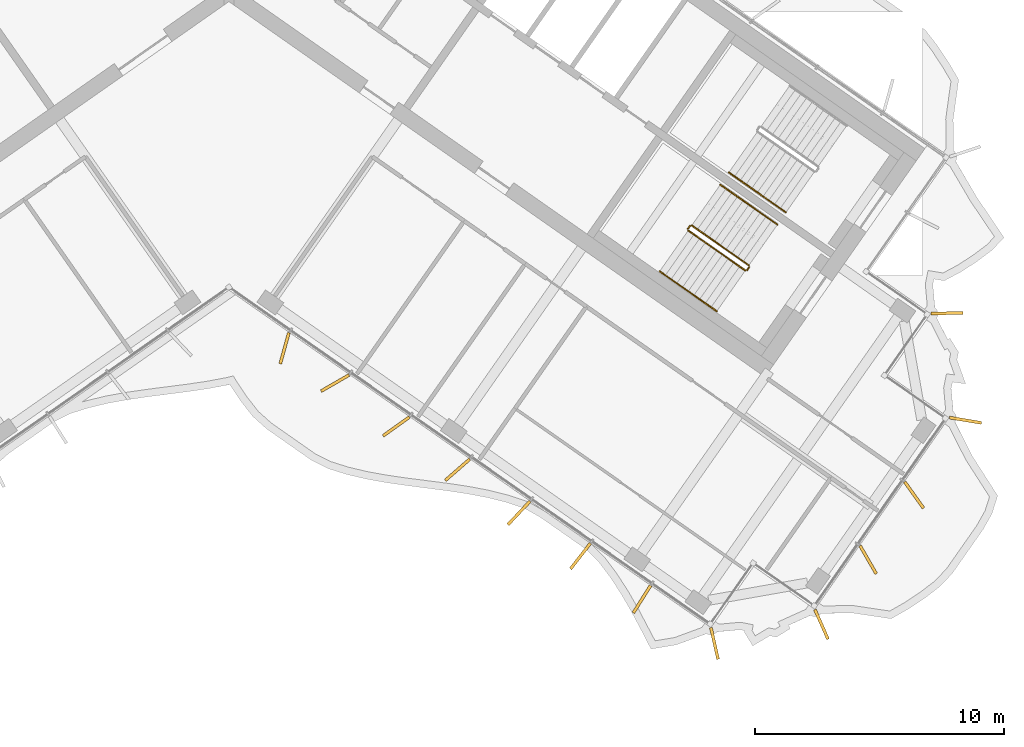
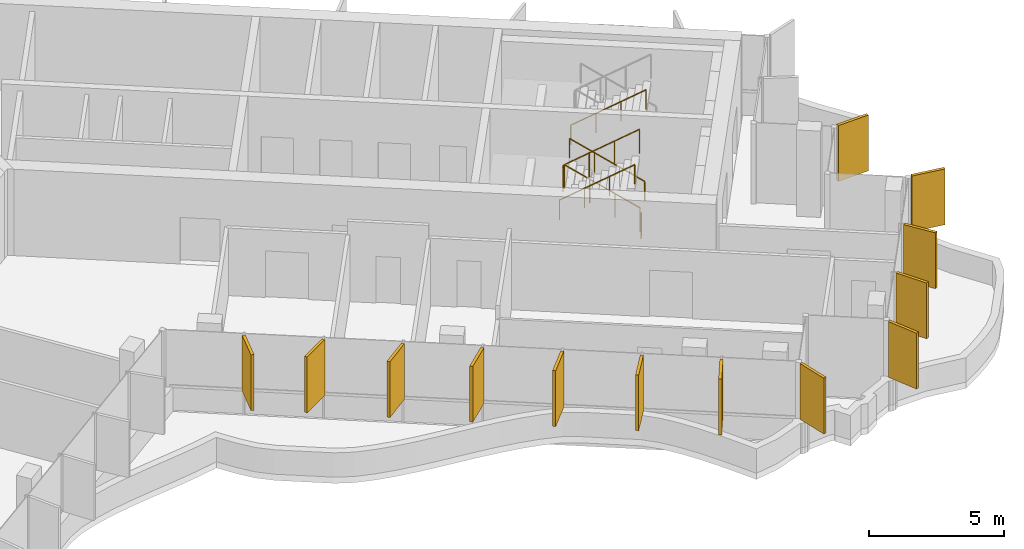
# One storey, part 15 of 17: 13 shading devices, 7 railings.
"""IFC4 building model written with IfcOpenShell, lengths in metres."""

from ifc_helpers import new_model, si_unit, direction, frame, origin, origin_2d, place, context, subcontext, project, spatial, rectangle, circle, extrude, material, layer, layer_set, type_object, element, save


model = new_model("IFC4")

# Units and contexts
model_context = context("Model", 3, precision=1e-05, world=origin(), true_north=direction((0.0, 1.0)))
body_context = subcontext(model_context, "Body", "Model", "MODEL_VIEW")
ifc_project = project(units=[si_unit("LENGTHUNIT", "METRE"), si_unit("AREAUNIT", "SQUARE_METRE"), si_unit("VOLUMEUNIT", "CUBIC_METRE"), si_unit("PLANEANGLEUNIT", "RADIAN"), si_unit("MASSUNIT", "GRAM", prefix="KILO")], contexts=[model_context])

# Site, building, storey
site_placement = place(None, origin())
site = spatial("IfcSite", under=ifc_project, at=site_placement, CompositionType="ELEMENT")
building_placement = place(site_placement, origin())
building = spatial("IfcBuilding", under=site, at=building_placement, Name="Tel Ilan Convention Tower", CompositionType="ELEMENT")
storey_placement = place(building_placement, frame((0.0, 0.0, 280.0)))
storey = spatial("IfcBuildingStorey", under=building, at=storey_placement, Name="L66", CompositionType="ELEMENT", Elevation=280.0)

# Shading devices
ifc_material_1 = material(Name="Aluminium, bronze anodised", Category="aluminium")
ifc_layer = layer(ifc_material_1, 0.1201171875)
ifc_layer_set = layer_set([ifc_layer], Name="FIN BRONZE 1300x120")
shading_device_type = type_object("IfcShadingDeviceType", Name="FIN BRONZE 1300x120", PredefinedType="USERDEFINED", material=ifc_layer_set)
for number, where, z_axis, x_axis, name in (
    (1, (2.23583984375, -15.15576171875, 1.10009765625), (0.0, 0.0, 1.0), (-0.268172612768, -0.963370878614, 0.0), "FIN"),
    (2, (4.265625, -16.554443359375, 1.10009765625), (0.0, 0.0, 1.0), (-0.866025403784, -0.5, 0.0), "FIN"),
    (3, (6.72412109375, -18.298583984375, 1.10009765625), (0.0, 0.0, 1.0), (-0.813552070258, -0.581492071294, 0.0), "FIN"),
    (4, (9.18798828125, -20.038818359375, 1.10009765625), (0.0, 0.0, 1.0), (-0.753435896329, -0.657521368568, 0.0), "FIN"),
    (5, (11.65625, -21.775146484375, 1.10009765625), (0.0, 0.0, 1.0), (-0.686241637865, -0.727373641577, 0.0), "FIN"),
    (6, (14.12890625, -23.5068359375, 1.10009765625), (0.0, 0.0, 1.0), (-0.612600545196, -0.790392669516, 0.0), "FIN"),
    (7, (16.601806640625, -25.23828125, 1.10009765625), (0.0, 0.0, 1.0), (-0.533204432798, -0.845986425922, 0.0), "FIN"),
    (8, (19.515380859375, -27.018310546875, 1.10009765625), (0.0, 0.0, 1.0), (0.221170268371, -0.975235208752, 0.0), "FIN"),
    (9, (23.81494140625, -26.253173828125, 1.10009765625), (0.0, 0.0, 1.0), (0.404964282034, -0.914332505315, 0.0), "FIN"),
    (10, (25.69189453125, -23.65576171875, 1.10009765625), (0.0, 0.0, 1.0), (0.5, -0.866025403784, 0.0), "FIN"),
    (11, (27.53759765625, -21.0517578125, 1.10009765625), (0.0, 0.0, 1.0), (0.581492071294, -0.813552070258, 0.0), "FIN"),
    (12, (29.601318359375, -18.048583984375, 1.10009765625), (0.0, 0.0, 1.0), (0.986445172547, -0.16409119891, 0.0), "FIN"),
    (13, (28.862060546875, -13.74658203125, 1.10009765625), (0.0, 0.0, 1.0), (0.999576950082, 0.029084718749, 0.0), "FIN"),
):
    element("IfcShadingDevice", number, at=place(storey_placement, frame(where, z_axis=z_axis, x_axis=x_axis)), inside=storey, type_object=shading_device_type, Name=name, ObjectType="FIN", PredefinedType="USERDEFINED", context=body_context, shape_type="SweptSolid", body=[
        extrude(rectangle(XDim=1.300048828125, YDim=0.1201171875, at=origin_2d()), origin(), (0.0, 0.0, 1.0), 2.52001953125),
    ])

# Railings
ifc_material_2 = material(Name="Stainless Steel Grade 316", Category="steel")
railing_type_1 = type_object("IfcRailingType", Name="Stainless Steel Stair Guard 1100 mm", PredefinedType="GUARDRAIL", material=ifc_material_2)
railing_1_placement = place(storey_placement, frame((20.89697265625, -11.824462890625, 0.17724609375)))
element("IfcRailing", 14, at=railing_1_placement, inside=storey, type_object=railing_type_1, Name="L66 S4 stair guard 1", PredefinedType="GUARDRAIL", context=body_context, shape_type="SweptSolid", body=[
    extrude(circle(Radius=0.02392578125, at=origin_2d()), frame((0.0, 0.0, 1.076171875), z_axis=(-0.692123088272, 0.484596665743, 0.534912798717), x_axis=(-0.573550118428, -0.819170471667, 0.0)), (0.0, 0.0, 1.0), 3.31396484375),
    extrude(circle(Radius=0.02099609375, at=origin_2d()), origin(), (0.0, 0.0, 1.0), 1.052001953125),
    extrude(circle(Radius=0.02099609375, at=origin_2d()), frame((-0.7646484375, 0.535400390625, 0.5908203125)), (0.0, 0.0, 1.0), 1.052001953125),
    extrude(circle(Radius=0.02099609375, at=origin_2d()), frame((-1.529052734375, 1.070556640625, 1.181884765625)), (0.0, 0.0, 1.0), 1.052001953125),
    extrude(circle(Radius=0.02099609375, at=origin_2d()), frame((-2.293701171875, 1.60595703125, 1.772705078125)), (0.0, 0.0, 1.0), 1.052001953125),
])
railing_2_placement = place(storey_placement, frame((18.53369140625, -10.230712890625, 1.949951171875)))
element("IfcRailing", 15, at=railing_2_placement, inside=storey, type_object=railing_type_1, Name="L66 S4 stair guard 2", PredefinedType="GUARDRAIL", context=body_context, shape_type="SweptSolid", body=[
    extrude(circle(Radius=0.02392578125, at=origin_2d()), frame((0.0, 0.0, 1.076171875), z_axis=(-0.573353020881, -0.819308436089, 0.0), x_axis=(0.819308436089, -0.573353020881, 0.0)), (0.0, 0.0, 1.0), 0.14990234375),
    extrude(circle(Radius=0.02099609375, at=origin_2d()), origin(), (0.0, 0.0, 1.0), 1.052001953125),
    extrude(circle(Radius=0.02099609375, at=origin_2d()), frame((-0.0859375, -0.122802734375, 0.0)), (0.0, 0.0, 1.0), 1.052001953125),
])
railing_3_placement = place(storey_placement, frame((18.4599609375, -10.423095703125, 2.127197265625)))
element("IfcRailing", 16, at=railing_3_placement, inside=storey, type_object=railing_type_1, Name="L66 S4 stair guard 3", PredefinedType="GUARDRAIL", context=body_context, shape_type="SweptSolid", body=[
    extrude(circle(Radius=0.02392578125, at=origin_2d()), frame((0.0, 0.0, 1.076171875), z_axis=(0.692098378994, -0.484653031975, 0.534893701956), x_axis=(0.573608623498, 0.819129505664, 0.0)), (0.0, 0.0, 1.0), 3.314208984375),
    extrude(circle(Radius=0.02099609375, at=origin_2d()), origin(), (0.0, 0.0, 1.0), 1.052001953125),
    extrude(circle(Radius=0.02099609375, at=origin_2d()), frame((0.7646484375, -0.535400390625, 0.5908203125)), (0.0, 0.0, 1.0), 1.052001953125),
    extrude(circle(Radius=0.02099609375, at=origin_2d()), frame((1.529052734375, -1.07080078125, 1.181884765625)), (0.0, 0.0, 1.0), 1.052001953125),
    extrude(circle(Radius=0.02099609375, at=origin_2d()), frame((2.293701171875, -1.606201171875, 1.772705078125)), (0.0, 0.0, 1.0), 1.052001953125),
])
railing_4_placement = place(storey_placement, frame((20.9091796875, -11.89404296875, 0.0)))
element("IfcRailing", 17, at=railing_4_placement, inside=storey, type_object=railing_type_1, Name="L66 S4 stair guard 4", PredefinedType="GUARDRAIL", context=body_context, shape_type="SweptSolid", body=[
    extrude(circle(Radius=0.02392578125, at=origin_2d()), frame((0.0, 0.0, 1.076171875), z_axis=(-0.573353020881, -0.819308436089, 0.0), x_axis=(0.819308436089, -0.573353020881, 0.0)), (0.0, 0.0, 1.0), 0.14990234375),
    extrude(circle(Radius=0.02099609375, at=origin_2d()), origin(), (0.0, 0.0, 1.0), 1.052001953125),
    extrude(circle(Radius=0.02099609375, at=origin_2d()), frame((-0.0859375, -0.122802734375, 0.0)), (0.0, 0.0, 1.0), 1.052001953125),
])
ifc_material_3 = material(Name="Stainless Steel Grade 316", Category="steel")
railing_type_2 = type_object("IfcRailingType", Name="Stainless Steel Stair Handrail 900 mm", PredefinedType="HANDRAIL", material=ifc_material_3)
railing_5_placement = place(storey_placement, frame((20.0947265625, -8.088623046875, 2.127197265625)))
element("IfcRailing", 18, at=railing_5_placement, inside=storey, type_object=railing_type_2, Name="L66 S3 stair handrail 2", PredefinedType="HANDRAIL", context=body_context, shape_type="SweptSolid", body=[
    extrude(circle(Radius=0.02392578125, at=origin_2d()), frame((0.0, 0.0, 0.8759765625), z_axis=(0.692084706163, -0.484621375041, 0.534940073605), x_axis=(0.573591086599, 0.819141785879, 0.0)), (0.0, 0.0, 1.0), 3.313720703125),
    extrude(circle(Radius=0.02099609375, at=origin_2d()), origin(), (0.0, 0.0, 1.0), 0.851806640625),
    extrude(circle(Radius=0.02099609375, at=origin_2d()), frame((0.764404296875, -0.535400390625, 0.5908203125)), (0.0, 0.0, 1.0), 0.851806640625),
    extrude(circle(Radius=0.02099609375, at=origin_2d()), frame((1.529052734375, -1.070556640625, 1.181884765625)), (0.0, 0.0, 1.0), 0.851806640625),
    extrude(circle(Radius=0.02099609375, at=origin_2d()), frame((2.29345703125, -1.60595703125, 1.772705078125)), (0.0, 0.0, 1.0), 0.851806640625),
])
railing_6_placement = place(storey_placement, frame((22.044189453125, -10.18603515625, 0.17724609375)))
element("IfcRailing", 19, at=railing_6_placement, inside=storey, type_object=railing_type_2, Name="L66 S4 stair handrail 1", PredefinedType="HANDRAIL", context=body_context, shape_type="SweptSolid", body=[
    extrude(circle(Radius=0.02392578125, at=origin_2d()), frame((0.0, 0.0, 0.8759765625), z_axis=(-0.692123088272, 0.484596665743, 0.534912798717), x_axis=(-0.573550118428, -0.819170471667, 0.0)), (0.0, 0.0, 1.0), 3.31396484375),
    extrude(circle(Radius=0.02099609375, at=origin_2d()), origin(), (0.0, 0.0, 1.0), 0.851806640625),
    extrude(circle(Radius=0.02099609375, at=origin_2d()), frame((-0.7646484375, 0.535400390625, 0.5908203125)), (0.0, 0.0, 1.0), 0.851806640625),
    extrude(circle(Radius=0.02099609375, at=origin_2d()), frame((-1.529052734375, 1.070556640625, 1.181884765625)), (0.0, 0.0, 1.0), 0.851806640625),
    extrude(circle(Radius=0.02099609375, at=origin_2d()), frame((-2.293701171875, 1.60595703125, 1.772705078125)), (0.0, 0.0, 1.0), 0.851806640625),
])
railing_7_placement = place(storey_placement, frame((17.312744140625, -12.0615234375, 2.127197265625)))
element("IfcRailing", 20, at=railing_7_placement, inside=storey, type_object=railing_type_2, Name="L66 S4 stair handrail 2", PredefinedType="HANDRAIL", context=body_context, shape_type="SweptSolid", body=[
    extrude(circle(Radius=0.02392578125, at=origin_2d()), frame((0.0, 0.0, 0.8759765625), z_axis=(0.692123088272, -0.484596665743, 0.534912798717), x_axis=(0.573550118428, 0.819170471667, 0.0)), (0.0, 0.0, 1.0), 3.31396484375),
    extrude(circle(Radius=0.02099609375, at=origin_2d()), origin(), (0.0, 0.0, 1.0), 0.851806640625),
    extrude(circle(Radius=0.02099609375, at=origin_2d()), frame((0.7646484375, -0.535400390625, 0.5908203125)), (0.0, 0.0, 1.0), 0.851806640625),
    extrude(circle(Radius=0.02099609375, at=origin_2d()), frame((1.529052734375, -1.070556640625, 1.181884765625)), (0.0, 0.0, 1.0), 0.851806640625),
    extrude(circle(Radius=0.02099609375, at=origin_2d()), frame((2.293701171875, -1.60595703125, 1.772705078125)), (0.0, 0.0, 1.0), 0.851806640625),
])

save(model, "model.ifc")
